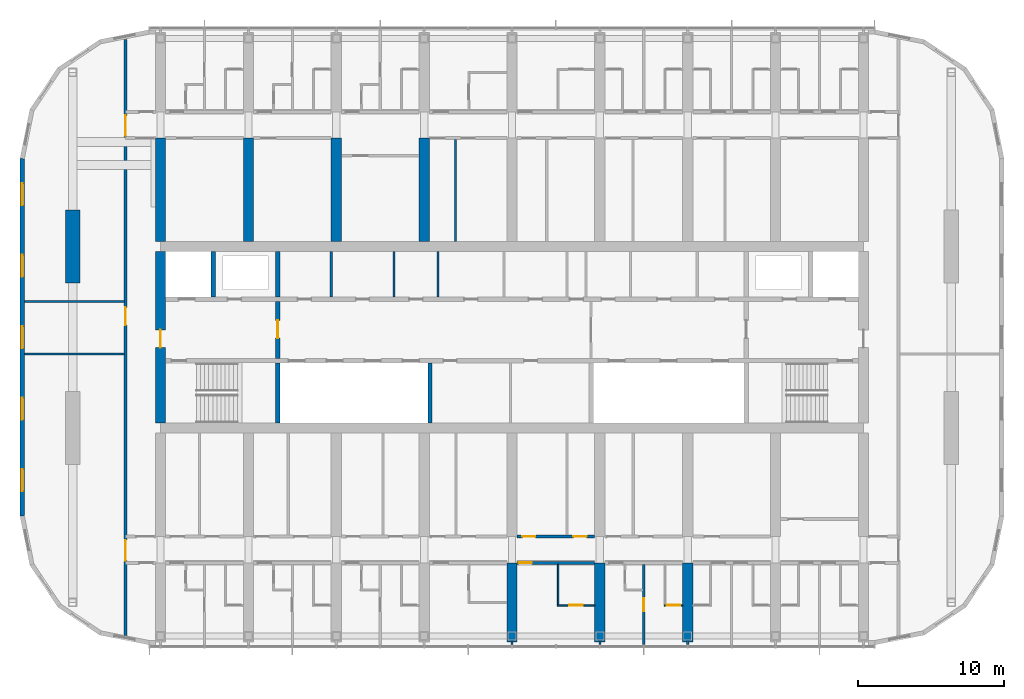
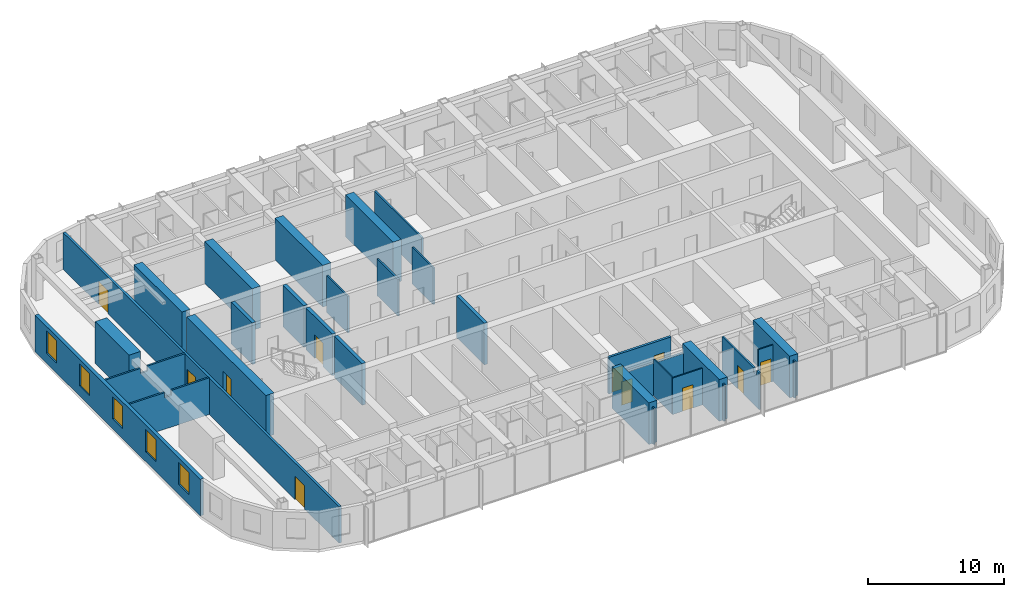
# One storey, part 12 of 24: 31 walls, 11 doors, 5 windows, 16 openings.
"""IFC4 building model written with IfcOpenShell, lengths in metres."""

from ifc_helpers import new_model, si_unit, direction, frame, frame_2d, origin, place, context, subcontext, project, spatial, polyline, rectangle, outline, extrude, material, layer, layer_set, type_object, element, fill, save


model = new_model("IFC4")

# Units and contexts
model_context = context("Model", 3, precision=1e-05, world=origin(), true_north=direction((0.0, 1.0)))
body_context = subcontext(model_context, "Body", "Model", "MODEL_VIEW")
ifc_project = project(units=[si_unit("LENGTHUNIT", "METRE"), si_unit("AREAUNIT", "SQUARE_METRE"), si_unit("VOLUMEUNIT", "CUBIC_METRE"), si_unit("PLANEANGLEUNIT", "RADIAN"), si_unit("MASSUNIT", "GRAM", prefix="KILO")], contexts=[model_context])

# Site, building, storey
site_placement = place(None, origin())
site = spatial("IfcSite", under=ifc_project, at=site_placement, CompositionType="ELEMENT")
building_placement = place(site_placement, origin())
building = spatial("IfcBuilding", under=site, at=building_placement, Name="Orbita Commons", CompositionType="ELEMENT")
storey_placement = place(building_placement, frame((0.0, 0.0, 242.800048828125)))
storey = spatial("IfcBuildingStorey", under=building, at=storey_placement, Name="L60", CompositionType="ELEMENT", Elevation=242.800048828125)

# Wall
ifc_material_1 = material(Name="Concrete C50/60", Category="concrete")
ifc_layer_1 = layer(ifc_material_1, 0.300048828125)
ifc_layer_set_1 = layer_set([ifc_layer_1], Name="Concrete C50/60")
wall_type_1 = type_object("IfcWallType", Name="Core inner wall 300 C50/60", PredefinedType="SHEAR", material=ifc_layer_set_1)
wall_1_placement = place(storey_placement, frame((26.0, 26.14990234375, 0.0), z_axis=(0.0, 0.0, 1.0), x_axis=(0.0, 1.0, 0.0)))
element("IfcWall", 1, at=wall_1_placement, inside=storey, type_object=wall_type_1, Name="Stair S1 wall L60", PredefinedType="SHEAR", context=body_context, shape_type="SweptSolid", body=[
    extrude(rectangle(XDim=4.10009765625, YDim=0.300048828125, at=frame_2d((2.050048828125, 0.0))), origin(), (0.0, 0.0, 1.0), 3.75),
])

# Wall, opening, door
wall_2_placement = place(storey_placement, frame((26.0, 30.550048828125, 0.0), z_axis=(0.0, 0.0, 1.0), x_axis=(0.0, 1.0, 0.0)))
wall_2 = element("IfcWall", 2, at=wall_2_placement, inside=storey, type_object=wall_type_1, Name="Firefighting lobby wall west L60", PredefinedType="SHEAR", context=body_context, shape_type="SweptSolid", body=[
    extrude(rectangle(XDim=3.89990234375, YDim=0.300048828125, at=frame_2d((1.949951171875, 0.0))), origin(), (0.0, 0.0, 1.0), 3.75),
])
opening_1_placement = place(wall_2_placement, frame((1.39990234375, 0.0, 0.0)))
opening_1 = element("IfcOpeningElement", 3, at=opening_1_placement, cuts=wall_2, Name="Opening D04", PredefinedType="OPENING", context=body_context, shape_type="SweptSolid", body=[
    extrude(rectangle(XDim=1.199951171875, YDim=2.10009765625, at=frame_2d((0.60009765625, 1.050048828125))), frame((0.0, 0.159912109375, 0.0), z_axis=(0.0, -1.0, 0.0), x_axis=(1.0, 0.0, 0.0)), (0.0, 0.0, 1.0), 0.320068359375),
])
ifc_material_2 = material(Name="Steel-faced fire door leaf", Category="steel")
door_type_1 = type_object("IfcDoorType", Name="Service door 20 min 1200x2100", OperationType="SINGLE_SWING_LEFT", PredefinedType="DOOR", material=ifc_material_2)
door_1_placement = place(opening_1_placement, origin())
door_1 = element("IfcDoor", 4, at=door_1_placement, inside=storey, type_object=door_type_1, Name="Lift lobby door west", OperationType="SINGLE_SWING_LEFT", OverallHeight=2.10009765625, OverallWidth=1.199951171875, PredefinedType="DOOR", context=body_context, shape_type="SweptSolid", body=[
    extrude(rectangle(XDim=1.199951171875, YDim=2.10009765625, at=frame_2d((0.60009765625, 1.050048828125))), frame((0.0, 0.02490234375, 0.0), z_axis=(0.0, -1.0, 0.0), x_axis=(1.0, 0.0, 0.0)), (0.0, 0.0, 1.0), 0.050048828125),
])
fill(opening_1, door_1)

# Walls
for number, where, z_axis, x_axis, name in (
    (5, (21.60009765625, 34.75, 0.0), (0.0, 0.0, 1.0), (0.0, 1.0, 0.0), "Firefighting lift FL1 shaft wall L60"),
    (6, (26.0, 34.75, 0.0), (0.0, 0.0, 1.0), (0.0, 1.0, 0.0), "Riser wall west L60"),
):
    element("IfcWall", number, at=place(storey_placement, frame(where, z_axis=z_axis, x_axis=x_axis)), inside=storey, type_object=wall_type_1, Name=name, PredefinedType="SHEAR", context=body_context, shape_type="SweptSolid", body=[
        extrude(rectangle(XDim=3.10009765625, YDim=0.300048828125, at=frame_2d((1.550048828125, 0.0))), origin(), (0.0, 0.0, 1.0), 3.75),
    ])
wall_3_placement = place(storey_placement, frame((36.39990234375, 26.14990234375, 0.0), z_axis=(0.0, 0.0, 1.0), x_axis=(0.0, 1.0, 0.0)))
element("IfcWall", 7, at=wall_3_placement, inside=storey, type_object=wall_type_1, Name="Hoistway division wall L60", PredefinedType="SHEAR", context=body_context, shape_type="SweptSolid", body=[
    extrude(rectangle(XDim=4.10009765625, YDim=0.300048828125, at=frame_2d((2.050048828125, 0.0))), origin(), (0.0, 0.0, 1.0), 3.75),
])
ifc_material_3 = material(Name="Concrete blockwork", Category="masonry")
ifc_layer_2 = layer(ifc_material_3, 0.14990234375)
ifc_layer_set_2 = layer_set([ifc_layer_2], Name="Concrete blockwork")
wall_type_2 = type_object("IfcWallType", Name="Core partition 150 blockwork", PredefinedType="SOLIDWALL", material=ifc_layer_set_2)
for number, where, z_axis, x_axis, name in (
    (8, (29.65087890625, 34.75, 0.0), (0.0, 0.0, 1.0), (0.0, 1.0, 0.0), "Core partition 150 blockwork L60"),
    (9, (33.9462890625, 34.75, 0.0), (0.0, 0.0, 1.0), (0.0, 1.0, 0.0), "Core partition 150 blockwork L60"),
    (10, (36.9462890625, 34.75, 0.0), (0.0, 0.0, 1.0), (0.0, 1.0, 0.0), "Core partition 150 blockwork L60"),
):
    element("IfcWall", number, at=place(storey_placement, frame(where, z_axis=z_axis, x_axis=x_axis)), inside=storey, type_object=wall_type_2, Name=name, PredefinedType="SOLIDWALL", context=body_context, shape_type="SweptSolid", body=[
        extrude(rectangle(XDim=3.10009765625, YDim=0.14990234375, at=frame_2d((1.550048828125, 0.0))), origin(), (0.0, 0.0, 1.0), 3.300048828125),
    ])

# Wall, opening, door
ifc_material_4 = material(Name="Concrete C50/60", Category="concrete")
ifc_layer_3 = layer(ifc_material_4, 0.699951171875)
ifc_layer_set_3 = layer_set([ifc_layer_3], Name="Concrete C50/60")
wall_type_3 = type_object("IfcWallType", Name="Core wall 700 C50/60", PredefinedType="SHEAR", material=ifc_layer_set_3)
wall_4_placement = place(storey_placement, frame((18.0, 26.14990234375, 0.0), z_axis=(0.0, 0.0, 1.0), x_axis=(0.0, 1.0, 0.0)))
wall_4 = element("IfcWall", 11, at=wall_4_placement, inside=storey, type_object=wall_type_3, Name="Core end wall west L60", PredefinedType="SHEAR", context=body_context, shape_type="SweptSolid", body=[
    extrude(rectangle(XDim=11.7001953125, YDim=0.699951171875, at=frame_2d((5.85009765625, 0.0))), origin(), (0.0, 0.0, 1.0), 3.75),
])
opening_2_placement = place(wall_4_placement, frame((5.14990234375, 0.0, 0.0)))
opening_2 = element("IfcOpeningElement", 12, at=opening_2_placement, cuts=wall_4, Name="Opening D01", PredefinedType="OPENING", context=body_context, shape_type="SweptSolid", body=[
    extrude(rectangle(XDim=1.199951171875, YDim=2.10009765625, at=frame_2d((0.60009765625, 1.050048828125))), frame((0.0, 0.35986328125, 0.0), z_axis=(0.0, -1.0, 0.0), x_axis=(1.0, 0.0, 0.0)), (0.0, 0.0, 1.0), 0.719970703125),
])
ifc_material_5 = material(Name="Steel-faced fire door leaf", Category="steel")
door_type_2 = type_object("IfcDoorType", Name="Fire door 90 min 1200x2100", OperationType="SINGLE_SWING_LEFT", PredefinedType="DOOR", material=ifc_material_5)
door_2_placement = place(opening_2_placement, origin())
door_2 = element("IfcDoor", 13, at=door_2_placement, inside=storey, type_object=door_type_2, Name="Firefighting lobby west door", OperationType="SINGLE_SWING_LEFT", OverallHeight=2.10009765625, OverallWidth=1.199951171875, PredefinedType="DOOR", context=body_context, shape_type="SweptSolid", body=[
    extrude(rectangle(XDim=1.199951171875, YDim=2.10009765625, at=frame_2d((0.60009765625, 1.050048828125))), frame((0.0, 0.02490234375, 0.0), z_axis=(0.0, -1.0, 0.0), x_axis=(1.0, 0.0, 0.0)), (0.0, 0.0, 1.0), 0.050048828125),
])
fill(opening_2, door_2)

ifc_material_6 = material(Name="Concrete blockwork", Category="masonry")
ifc_layer_4 = layer(ifc_material_6, 0.199951171875)
ifc_layer_set_4 = layer_set([ifc_layer_4], Name="Concrete blockwork")
wall_type_4 = type_object("IfcWallType", Name="Corridor wall 200 blockwork", PredefinedType="SOLIDWALL", material=ifc_layer_set_4)
wall_5_placement = place(storey_placement, frame((42.35009765625, 16.60009765625, 0.0), z_axis=(0.0, 0.0, 1.0), x_axis=(1.0, 0.0, 0.0)))
wall_5 = element("IfcWall", 14, at=wall_5_placement, inside=storey, type_object=wall_type_4, Name="Corridor wall 200 blockwork L60", PredefinedType="SOLIDWALL", context=body_context, shape_type="SweptSolid", body=[
    extrude(outline(polyline([(0.0, 0.0), (5.2998046875, 0.0), (5.300048828125, 2.89990234375), (0.0, 2.89990234375), (0.0, 0.0)])), frame((0.0, 0.10009765625, 0.0), z_axis=(0.0, -1.0, 0.0), x_axis=(1.0, 0.0, 0.0)), (0.0, 0.0, 1.0), 0.199951171875),
])
opening_3_placement = place(wall_5_placement, frame((0.10009765625, 0.0, 0.0)))
opening_3 = element("IfcOpeningElement", 15, at=opening_3_placement, cuts=wall_5, Name="Opening D11", PredefinedType="OPENING", context=body_context, shape_type="SweptSolid", body=[
    extrude(rectangle(XDim=0.89990234375, YDim=2.10009765625, at=frame_2d((0.449951171875, 1.050048828125))), frame((0.0, 0.10986328125, 0.0), z_axis=(0.0, -1.0, 0.0), x_axis=(1.0, 0.0, 0.0)), (0.0, 0.0, 1.0), 0.219970703125),
])
ifc_material_7 = material(Name="Steel-faced fire door leaf", Category="steel")
door_type_3 = type_object("IfcDoorType", Name="Corridor door 20 min 900x2100", OperationType="SINGLE_SWING_LEFT", PredefinedType="DOOR", material=ifc_material_7)
door_3_placement = place(opening_3_placement, origin())
door_3 = element("IfcDoor", 16, at=door_3_placement, inside=storey, type_object=door_type_3, Name="Studio apartment with kitchenette L60-S08 door", OperationType="SINGLE_SWING_LEFT", OverallHeight=2.10009765625, OverallWidth=0.89990234375, PredefinedType="DOOR", context=body_context, shape_type="SweptSolid", body=[
    extrude(rectangle(XDim=0.89990234375, YDim=2.10009765625, at=frame_2d((0.449951171875, 1.050048828125))), frame((0.0, 0.02490234375, 0.0), z_axis=(0.0, -1.0, 0.0), x_axis=(1.0, 0.0, 0.0)), (0.0, 0.0, 1.0), 0.050048828125),
])
fill(opening_3, door_3)

# Wall, openings, doors
wall_6_placement = place(storey_placement, frame((15.60009765625, 11.646240234375, 0.0), z_axis=(0.0, 0.0, 1.0), x_axis=(0.0, 1.0, 0.0)))
wall_6 = element("IfcWall", 17, at=wall_6_placement, inside=storey, type_object=wall_type_4, Name="Corridor wall 200 blockwork L60", PredefinedType="SOLIDWALL", context=body_context, shape_type="SweptSolid", body=[
    extrude(rectangle(XDim=40.70751953125, YDim=0.199951171875, at=frame_2d((20.353759765625, 0.0))), origin(), (0.0, 0.0, 1.0), 3.300048828125),
])
opening_4_placement = place(wall_6_placement, frame((21.19384765625, 0.0, 0.0)))
opening_4 = element("IfcOpeningElement", 18, at=opening_4_placement, cuts=wall_6, Name="Opening D15", PredefinedType="OPENING", context=body_context, shape_type="SweptSolid", body=[
    extrude(rectangle(XDim=1.199951171875, YDim=2.10009765625, at=frame_2d((0.60009765625, 1.050048828125))), frame((0.0, 0.10986328125, 0.0), z_axis=(0.0, -1.0, 0.0), x_axis=(1.0, 0.0, 0.0)), (0.0, 0.0, 1.0), 0.219970703125),
])
opening_5_placement = place(wall_6_placement, frame((5.103759765625, 0.0, 0.0)))
opening_5 = element("IfcOpeningElement", 19, at=opening_5_placement, cuts=wall_6, Name="Opening D08", PredefinedType="OPENING", context=body_context, shape_type="SweptSolid", body=[
    extrude(rectangle(XDim=1.39990234375, YDim=2.10009765625, at=frame_2d((0.699951171875, 1.050048828125))), frame((0.0, 0.10986328125, 0.0), z_axis=(0.0, -1.0, 0.0), x_axis=(1.0, 0.0, 0.0)), (0.0, 0.0, 1.0), 0.219970703125),
])
opening_6_placement = place(wall_6_placement, frame((34.103759765625, 0.0, 0.0)))
opening_6 = element("IfcOpeningElement", 20, at=opening_6_placement, cuts=wall_6, Name="Opening D08", PredefinedType="OPENING", context=body_context, shape_type="SweptSolid", body=[
    extrude(rectangle(XDim=1.39990234375, YDim=2.10009765625, at=frame_2d((0.699951171875, 1.050048828125))), frame((0.0, 0.10986328125, 0.0), z_axis=(0.0, -1.0, 0.0), x_axis=(1.0, 0.0, 0.0)), (0.0, 0.0, 1.0), 0.219970703125),
])
ifc_material_8 = material(Name="Steel-faced fire door leaf", Category="steel")
door_type_4 = type_object("IfcDoorType", Name="Corridor door 20 min 1200x2100", OperationType="SINGLE_SWING_LEFT", PredefinedType="DOOR", material=ifc_material_8)
door_4_placement = place(opening_4_placement, origin())
door_4 = element("IfcDoor", 21, at=door_4_placement, inside=storey, type_object=door_type_4, Name="Floor kitchen door", OperationType="SINGLE_SWING_LEFT", OverallHeight=2.10009765625, OverallWidth=1.199951171875, PredefinedType="DOOR", context=body_context, shape_type="SweptSolid", body=[
    extrude(rectangle(XDim=1.199951171875, YDim=2.10009765625, at=frame_2d((0.60009765625, 1.050048828125))), frame((0.0, 0.02490234375, 0.0), z_axis=(0.0, -1.0, 0.0), x_axis=(1.0, 0.0, 0.0)), (0.0, 0.0, 1.0), 0.050048828125),
])
fill(opening_4, door_4)
ifc_material_9 = material(Name="Steel-faced fire door leaf", Category="steel")
door_type_5 = type_object("IfcDoorType", Name="Double corridor door 20 min 1400x2100", OperationType="DOUBLE_DOOR_SINGLE_SWING", PredefinedType="DOOR", material=ifc_material_9)
door_5_placement = place(opening_5_placement, origin())
door_5 = element("IfcDoor", 22, at=door_5_placement, inside=storey, type_object=door_type_5, Name="Lounge doors", OperationType="DOUBLE_DOOR_SINGLE_SWING", OverallHeight=2.10009765625, OverallWidth=1.39990234375, PredefinedType="DOOR", context=body_context, shape_type="SweptSolid", body=[
    extrude(rectangle(XDim=1.39990234375, YDim=2.10009765625, at=frame_2d((0.699951171875, 1.050048828125))), frame((0.0, 0.02490234375, 0.0), z_axis=(0.0, -1.0, 0.0), x_axis=(1.0, 0.0, 0.0)), (0.0, 0.0, 1.0), 0.050048828125),
])
fill(opening_5, door_5)
door_6_placement = place(opening_6_placement, origin())
door_6 = element("IfcDoor", 23, at=door_6_placement, inside=storey, type_object=door_type_5, Name="Lounge doors", OperationType="DOUBLE_DOOR_SINGLE_SWING", OverallHeight=2.10009765625, OverallWidth=1.39990234375, PredefinedType="DOOR", context=body_context, shape_type="SweptSolid", body=[
    extrude(rectangle(XDim=1.39990234375, YDim=2.10009765625, at=frame_2d((0.699951171875, 1.050048828125))), frame((0.0, 0.02490234375, 0.0), z_axis=(0.0, -1.0, 0.0), x_axis=(1.0, 0.0, 0.0)), (0.0, 0.0, 1.0), 0.050048828125),
])
fill(opening_6, door_6)

ifc_material_10 = material(Name="Hollow concrete block 200", Category="concrete")
ifc_layer_5 = layer(ifc_material_10, 0.199951171875)
ifc_layer_set_5 = layer_set([ifc_layer_5], Name="Hollow concrete block 200")
wall_type_5 = type_object("IfcWallType", Name="Corridor wall 200 hollow concrete block", PredefinedType="SOLIDWALL", material=ifc_layer_set_5)
wall_7_placement = place(storey_placement, frame((42.35009765625, 18.39990234375, 0.0), z_axis=(0.0, 0.0, 1.0), x_axis=(1.0, 0.0, 0.0)))
wall_7 = element("IfcWall", 24, at=wall_7_placement, inside=storey, type_object=wall_type_5, Name="Corridor wall 200 hollow concrete block L60", PredefinedType="SOLIDWALL", context=body_context, shape_type="SweptSolid", body=[
    extrude(rectangle(XDim=5.2998046875, YDim=0.199951171875, at=frame_2d((2.64990234375, 0.0))), origin(), (0.0, 0.0, 1.0), 3.300048828125),
])
opening_7_placement = place(wall_7_placement, frame((0.35009765625, 0.0, 0.0)))
opening_7 = element("IfcOpeningElement", 25, at=opening_7_placement, cuts=wall_7, Name="Opening D11", PredefinedType="OPENING", context=body_context, shape_type="SweptSolid", body=[
    extrude(rectangle(XDim=0.89990234375, YDim=2.10009765625, at=frame_2d((0.449951171875, 1.050048828125))), frame((0.0, 0.10986328125, 0.0), z_axis=(0.0, -1.0, 0.0), x_axis=(1.0, 0.0, 0.0)), (0.0, 0.0, 1.0), 0.219970703125),
])
opening_8_placement = place(wall_7_placement, frame((3.840087890625, 0.0, 0.0)))
opening_8 = element("IfcOpeningElement", 26, at=opening_8_placement, cuts=wall_7, Name="Opening D11", PredefinedType="OPENING", context=body_context, shape_type="SweptSolid", body=[
    extrude(rectangle(XDim=0.89990234375, YDim=2.10009765625, at=frame_2d((0.449951171875, 1.050048828125))), frame((0.0, 0.10986328125, 0.0), z_axis=(0.0, -1.0, 0.0), x_axis=(1.0, 0.0, 0.0)), (0.0, 0.0, 1.0), 0.219970703125),
])
door_7_placement = place(opening_7_placement, origin())
door_7 = element("IfcDoor", 27, at=door_7_placement, inside=storey, type_object=door_type_3, Name="Linen store L60-BDS42 door", OperationType="SINGLE_SWING_LEFT", OverallHeight=2.10009765625, OverallWidth=0.89990234375, PredefinedType="DOOR", context=body_context, shape_type="SweptSolid", body=[
    extrude(rectangle(XDim=0.89990234375, YDim=2.10009765625, at=frame_2d((0.449951171875, 1.050048828125))), frame((0.0, 0.02490234375, 0.0), z_axis=(0.0, -1.0, 0.0), x_axis=(1.0, 0.0, 0.0)), (0.0, 0.0, 1.0), 0.050048828125),
])
fill(opening_7, door_7)
door_8_placement = place(opening_8_placement, origin())
door_8 = element("IfcDoor", 28, at=door_8_placement, inside=storey, type_object=door_type_3, Name="Battery and UPS room L60-BDS42n door", OperationType="SINGLE_SWING_LEFT", OverallHeight=2.10009765625, OverallWidth=0.89990234375, PredefinedType="DOOR", context=body_context, shape_type="SweptSolid", body=[
    extrude(rectangle(XDim=0.89990234375, YDim=2.10009765625, at=frame_2d((0.449951171875, 1.050048828125))), frame((0.0, 0.02490234375, 0.0), z_axis=(0.0, -1.0, 0.0), x_axis=(1.0, 0.0, 0.0)), (0.0, 0.0, 1.0), 0.050048828125),
])
fill(opening_8, door_8)

# Walls
ifc_material_11 = material(Name="Concrete C50/60", Category="concrete")
ifc_layer_6 = layer(ifc_material_11, 0.699951171875)
ifc_layer_set_6 = layer_set([ifc_layer_6], Name="Concrete C50/60")
wall_type_6 = type_object("IfcWallType", Name="Cross wall 700 C50/60", PredefinedType="SHEAR", material=ifc_layer_set_6)
for number, where, z_axis, x_axis, name in (
    (29, (18.0, 38.550048828125, 0.0), (0.0, 0.0, 1.0), (0.0, 1.0, 0.0), "Cross wall 4 north inner L60"),
    (30, (24.0, 38.550048828125, 0.0), (0.0, 0.0, 1.0), (0.0, 1.0, 0.0), "Cross wall 5 north inner L60"),
    (31, (30.0, 38.550048828125, 0.0), (0.0, 0.0, 1.0), (0.0, 1.0, 0.0), "Cross wall 6 north inner L60"),
    (32, (36.0, 38.550048828125, 0.0), (0.0, 0.0, 1.0), (0.0, 1.0, 0.0), "Cross wall 7 north inner L60"),
):
    element("IfcWall", number, at=place(storey_placement, frame(where, z_axis=z_axis, x_axis=x_axis)), inside=storey, type_object=wall_type_6, Name=name, PredefinedType="SHEAR", context=body_context, shape_type="SweptSolid", body=[
        extrude(rectangle(XDim=7.050048828125, YDim=0.699951171875, at=frame_2d((3.52490234375, 0.0))), origin(), (0.0, 0.0, 1.0), 3.75),
    ])
for number, where, z_axis, x_axis, name in (
    (33, (42.0, 11.199951171875, 0.0), (0.0, 0.0, 1.0), (0.0, 1.0, 0.0), "Cross wall 8 south outer L60"),
    (34, (48.0, 11.199951171875, 0.0), (0.0, 0.0, 1.0), (0.0, 1.0, 0.0), "Cross wall 9 south outer L60"),
    (35, (54.0, 11.199951171875, 0.0), (0.0, 0.0, 1.0), (0.0, 1.0, 0.0), "Cross wall 10 south outer L60"),
):
    element("IfcWall", number, at=place(storey_placement, frame(where, z_axis=z_axis, x_axis=x_axis)), inside=storey, type_object=wall_type_6, Name=name, PredefinedType="SHEAR", context=body_context, shape_type="SweptSolid", body=[
        extrude(rectangle(XDim=5.400146484375, YDim=0.699951171875, at=frame_2d((2.7001953125, 0.0))), origin(), (0.0, 0.0, 1.0), 3.75),
    ])

# Wall, opening, door
ifc_material_12 = material(Name="Moisture-resistant plasterboard on steel studs", Category="steel")
ifc_layer_7 = layer(ifc_material_12, 0.10009765625)
ifc_layer_set_7 = layer_set([ifc_layer_7], Name="Moisture-resistant plasterboard on steel studs")
wall_type_7 = type_object("IfcWallType", Name="En-suite partition 100", PredefinedType="PARTITIONING", material=ifc_layer_set_7)
wall_8_placement = place(storey_placement, frame((47.64990234375, 13.699951171875, 0.0), z_axis=(0.0, 0.0, 1.0), x_axis=(-1.0, 0.0, 0.0)))
wall_8 = element("IfcWall", 36, at=wall_8_placement, inside=storey, type_object=wall_type_7, Name="En-suite partition 100 L60", PredefinedType="PARTITIONING", context=body_context, shape_type="SweptSolid", body=[
    extrude(rectangle(XDim=2.5498046875, YDim=0.10009765625, at=frame_2d((1.27490234375, 0.0))), origin(), (0.0, 0.0, 1.0), 3.300048828125),
])
opening_9_placement = place(wall_8_placement, frame((0.824951171875, 0.0, 0.0)))
opening_9 = element("IfcOpeningElement", 37, at=opening_9_placement, cuts=wall_8, Name="Opening D09", PredefinedType="OPENING", context=body_context, shape_type="SweptSolid", body=[
    extrude(rectangle(XDim=0.89990234375, YDim=2.10009765625, at=frame_2d((0.449951171875, 1.050048828125))), frame((0.0, 0.06005859375, 0.0), z_axis=(0.0, -1.0, 0.0), x_axis=(1.0, 0.0, 0.0)), (0.0, 0.0, 1.0), 0.1201171875),
])
ifc_material_13 = material(Name="Laminated timber door leaf", Category="wood")
door_type_6 = type_object("IfcDoorType", Name="En-suite door 900x2100", OperationType="SINGLE_SWING_RIGHT", PredefinedType="DOOR", material=ifc_material_13)
door_9_placement = place(opening_9_placement, origin())
door_9 = element("IfcDoor", 38, at=door_9_placement, inside=storey, type_object=door_type_6, Name="En-suite L60-S08 door", OperationType="SINGLE_SWING_RIGHT", OverallHeight=2.10009765625, OverallWidth=0.89990234375, PredefinedType="DOOR", context=body_context, shape_type="SweptSolid", body=[
    extrude(rectangle(XDim=0.89990234375, YDim=2.10009765625, at=frame_2d((0.449951171875, 1.050048828125))), frame((0.0, 0.02490234375, 0.0), z_axis=(0.0, -1.0, 0.0), x_axis=(1.0, 0.0, 0.0)), (0.0, 0.0, 1.0), 0.050048828125),
])
fill(opening_9, door_9)

# Wall
wall_9_placement = place(storey_placement, frame((45.14990234375, 13.75, 0.0), z_axis=(0.0, 0.0, 1.0), x_axis=(0.0, 1.0, 0.0)))
element("IfcWall", 39, at=wall_9_placement, inside=storey, type_object=wall_type_7, Name="En-suite partition 100 L60", PredefinedType="PARTITIONING", context=body_context, shape_type="SweptSolid", body=[
    extrude(outline(polyline([(0.0, 0.0), (2.75, 0.0), (2.75, 2.89990234375), (2.701904296875, 2.89990234375), (2.699951171875, 3.300048828125), (0.0, 3.300048828125), (0.0, 0.0)])), frame((0.0, 0.050048828125, 0.0), z_axis=(0.0, -1.0, 0.0), x_axis=(1.0, 0.0, 0.0)), (0.0, 0.0, 1.0), 0.10009765625),
])

# Wall, opening, door
wall_10_placement = place(storey_placement, frame((53.64990234375, 13.699951171875, 0.0), z_axis=(0.0, 0.0, 1.0), x_axis=(-1.0, 0.0, 0.0)))
wall_10 = element("IfcWall", 40, at=wall_10_placement, inside=storey, type_object=wall_type_7, Name="En-suite partition 100 L60", PredefinedType="PARTITIONING", context=body_context, shape_type="SweptSolid", body=[
    extrude(rectangle(XDim=1.25, YDim=0.10009765625, at=frame_2d((0.625, 0.0))), origin(), (0.0, 0.0, 1.0), 3.300048828125),
])
opening_10_placement = place(wall_10_placement, frame((0.175048828125, 0.0, 0.0)))
opening_10 = element("IfcOpeningElement", 41, at=opening_10_placement, cuts=wall_10, Name="Opening D09", PredefinedType="OPENING", context=body_context, shape_type="SweptSolid", body=[
    extrude(rectangle(XDim=0.89990234375, YDim=2.10009765625, at=frame_2d((0.449951171875, 1.050048828125))), frame((0.0, 0.06005859375, 0.0), z_axis=(0.0, -1.0, 0.0), x_axis=(1.0, 0.0, 0.0)), (0.0, 0.0, 1.0), 0.1201171875),
])
door_10_placement = place(opening_10_placement, origin())
door_10 = element("IfcDoor", 42, at=door_10_placement, inside=storey, type_object=door_type_6, Name="En-suite L60-S11 door", OperationType="SINGLE_SWING_RIGHT", OverallHeight=2.10009765625, OverallWidth=0.89990234375, PredefinedType="DOOR", context=body_context, shape_type="SweptSolid", body=[
    extrude(rectangle(XDim=0.89990234375, YDim=2.10009765625, at=frame_2d((0.449951171875, 1.050048828125))), frame((0.0, 0.02490234375, 0.0), z_axis=(0.0, -1.0, 0.0), x_axis=(1.0, 0.0, 0.0)), (0.0, 0.0, 1.0), 0.050048828125),
])
fill(opening_10, door_10)

# Wall
ifc_material_14 = material(Name="Concrete C50/60", Category="concrete")
ifc_layer_8 = layer(ifc_material_14, 1.0)
ifc_layer_set_8 = layer_set([ifc_layer_8], Name="Concrete C50/60")
wall_type_8 = type_object("IfcWallType", Name="End pier 1000x5000 C50/60", PredefinedType="SHEAR", material=ifc_layer_set_8)
wall_11_placement = place(storey_placement, frame((12.0, 35.699951171875, 0.0), z_axis=(0.0, 0.0, 1.0), x_axis=(0.0, 1.0, 0.0)))
element("IfcWall", 43, at=wall_11_placement, inside=storey, type_object=wall_type_8, Name="End pier 3/D L60", PredefinedType="SHEAR", context=body_context, shape_type="SweptSolid", body=[
    extrude(rectangle(XDim=5.0, YDim=1.0, at=frame_2d((2.5, 0.0))), origin(), (0.0, 0.0, 1.0), 3.75),
])

# Wall, opening, door
ifc_material_15 = material(Name="Gypsum plasterboard on steel studs", Category="steel")
ifc_layer_9 = layer(ifc_material_15, 0.14990234375)
ifc_layer_set_9 = layer_set([ifc_layer_9], Name="Gypsum plasterboard on steel studs")
wall_type_9 = type_object("IfcWallType", Name="Partition 150 plasterboard", PredefinedType="PARTITIONING", material=ifc_layer_set_9)
wall_12_placement = place(storey_placement, frame((51.0, 11.010009765625, 0.0), z_axis=(0.0, 0.0, 1.0), x_axis=(0.0, 1.0, 0.0)))
wall_12 = element("IfcWall", 44, at=wall_12_placement, inside=storey, type_object=wall_type_9, Name="Partition 150 plasterboard L60", PredefinedType="PARTITIONING", context=body_context, shape_type="SweptSolid", body=[
    extrude(outline(polyline([(0.0, 0.0), (5.489990234375, 0.0), (5.489990234375, 2.89990234375), (5.44189453125, 2.89990234375), (5.43994140625, 3.300048828125), (0.7919921875, 3.300048828125), (0.7900390625, 2.89990234375), (0.39208984375, 2.89990234375), (0.389892578125, 3.300048828125), (0.0, 3.300048828125), (0.0, 0.0)])), frame((0.0, 0.074951171875, 0.0), z_axis=(0.0, -1.0, 0.0), x_axis=(1.0, 0.0, 0.0)), (0.0, 0.0, 1.0), 0.14990234375),
])
opening_11_placement = place(wall_12_placement, frame((2.27001953125, 0.0, 0.0)))
opening_11 = element("IfcOpeningElement", 45, at=opening_11_placement, cuts=wall_12, Name="Opening D09", PredefinedType="OPENING", context=body_context, shape_type="SweptSolid", body=[
    extrude(rectangle(XDim=0.89990234375, YDim=2.10009765625, at=frame_2d((0.449951171875, 1.050048828125))), frame((0.0, 0.0849609375, 0.0), z_axis=(0.0, -1.0, 0.0), x_axis=(1.0, 0.0, 0.0)), (0.0, 0.0, 1.0), 0.169921875),
])
door_11_placement = place(opening_11_placement, origin())
door_11 = element("IfcDoor", 46, at=door_11_placement, inside=storey, type_object=door_type_6, Name="Guest suite bedroom L60-S10 door", OperationType="SINGLE_SWING_RIGHT", OverallHeight=2.10009765625, OverallWidth=0.89990234375, PredefinedType="DOOR", context=body_context, shape_type="SweptSolid", body=[
    extrude(rectangle(XDim=0.89990234375, YDim=2.10009765625, at=frame_2d((0.449951171875, 1.050048828125))), frame((0.0, 0.02490234375, 0.0), z_axis=(0.0, -1.0, 0.0), x_axis=(1.0, 0.0, 0.0)), (0.0, 0.0, 1.0), 0.050048828125),
])
fill(opening_11, door_11)

# Walls
wall_13_placement = place(storey_placement, frame((38.14501953125, 38.550048828125, 0.0), z_axis=(0.0, 0.0, 1.0), x_axis=(0.0, 1.0, 0.0)))
element("IfcWall", 47, at=wall_13_placement, inside=storey, type_object=wall_type_9, Name="Partition 150 plasterboard L60", PredefinedType="PARTITIONING", context=body_context, shape_type="SweptSolid", body=[
    extrude(rectangle(XDim=6.949951171875, YDim=0.14990234375, at=frame_2d((3.47509765625, 0.0))), origin(), (0.0, 0.0, 1.0), 3.300048828125),
])
for number, where, z_axis, x_axis, name in (
    (48, (8.705078125, 30.85009765625, 0.0), (0.0, 0.0, 1.0), (1.0, 0.0, 0.0), "Partition 150 plasterboard L60"),
    (49, (8.705078125, 34.43994140625, 0.0), (0.0, 0.0, 1.0), (1.0, 0.0, 0.0), "Partition 150 plasterboard L60"),
):
    element("IfcWall", number, at=place(storey_placement, frame(where, z_axis=z_axis, x_axis=x_axis)), inside=storey, type_object=wall_type_9, Name=name, PredefinedType="PARTITIONING", context=body_context, shape_type="SweptSolid", body=[
        extrude(outline(polyline([(0.0, 0.0), (6.81982421875, 0.0), (6.820068359375, 3.300048828125), (3.596923828125, 3.300048828125), (3.594970703125, 2.849853515625), (2.9970703125, 2.849853515625), (2.9951171875, 3.300048828125), (0.0, 3.300048828125), (0.0, 0.0)])), frame((0.0, 0.074951171875, 0.0), z_axis=(0.0, -1.0, 0.0), x_axis=(1.0, 0.0, 0.0)), (0.0, 0.0, 1.0), 0.14990234375),
    ])
for number, where, z_axis, x_axis, name in (
    (50, (42.0, 11.300048828125, 0.0), (0.0, 0.0, 1.0), (0.0, -1.0, 0.0), "Partition 150 plasterboard L60"),
    (51, (48.0, 11.300048828125, 0.0), (0.0, 0.0, 1.0), (0.0, -1.0, 0.0), "Partition 150 plasterboard L60"),
    (52, (54.0, 11.300048828125, 0.0), (0.0, 0.0, 1.0), (0.0, -1.0, 0.0), "Partition 150 plasterboard L60"),
):
    element("IfcWall", number, at=place(storey_placement, frame(where, z_axis=z_axis, x_axis=x_axis)), inside=storey, type_object=wall_type_9, Name=name, PredefinedType="PARTITIONING", context=body_context, shape_type="SweptSolid", body=[
        extrude(rectangle(XDim=0.2900390625, YDim=0.14990234375, at=frame_2d((0.14501953125, 0.0))), origin(), (0.0, 0.0, 1.0), 3.300048828125),
    ])

# Wall, openings, windows
ifc_material_16 = material(Name="Precast concrete C40/50, white board-marked finish", Category="concrete")
ifc_layer_10 = layer(ifc_material_16, 0.300048828125)
ifc_layer_set_10 = layer_set([ifc_layer_10], Name="Precast concrete C40/50, white board-marked finish")
wall_type_10 = type_object("IfcWallType", Name="Precast concrete end shield 300", PredefinedType="SOLIDWALL", material=ifc_layer_set_10)
wall_14_placement = place(storey_placement, frame((8.550048828125, 44.199951171875, 0.0), z_axis=(0.0, 0.0, 1.0), x_axis=(0.0, -1.0, 0.0)))
wall_14 = element("IfcWall", 53, at=wall_14_placement, inside=storey, type_object=wall_type_10, Name="End shield W L60", PredefinedType="SOLIDWALL", context=body_context, shape_type="SweptSolid", body=[
    extrude(outline(polyline([(-0.014892578125, -0.14990234375), (24.414794921875, -0.14990234375), (24.385009765625, 0.14990234375), (0.014892578125, 0.14990234375), (-0.014892578125, -0.14990234375)])), origin(), (0.0, 0.0, 1.0), 3.300048828125),
])
opening_12_placement = place(wall_14_placement, frame((1.68994140625, 0.0, 0.89990234375)))
opening_12 = element("IfcOpeningElement", 54, at=opening_12_placement, cuts=wall_14, Name="Opening W01", PredefinedType="OPENING", context=body_context, shape_type="SweptSolid", body=[
    extrude(rectangle(XDim=1.5, YDim=2.0, at=frame_2d((0.75, 1.0))), frame((0.0, 0.159912109375, 0.0), z_axis=(0.0, -1.0, 0.0), x_axis=(1.0, 0.0, 0.0)), (0.0, 0.0, 1.0), 0.320068359375),
])
opening_13_placement = place(wall_14_placement, frame((6.570068359375, 0.0, 0.89990234375)))
opening_13 = element("IfcOpeningElement", 55, at=opening_13_placement, cuts=wall_14, Name="Opening W01", PredefinedType="OPENING", context=body_context, shape_type="SweptSolid", body=[
    extrude(rectangle(XDim=1.5, YDim=2.0, at=frame_2d((0.75, 1.0))), frame((0.0, 0.159912109375, 0.0), z_axis=(0.0, -1.0, 0.0), x_axis=(1.0, 0.0, 0.0)), (0.0, 0.0, 1.0), 0.320068359375),
])
opening_14_placement = place(wall_14_placement, frame((11.449951171875, 0.0, 0.89990234375)))
opening_14 = element("IfcOpeningElement", 56, at=opening_14_placement, cuts=wall_14, Name="Opening W01", PredefinedType="OPENING", context=body_context, shape_type="SweptSolid", body=[
    extrude(rectangle(XDim=1.5, YDim=2.0, at=frame_2d((0.75, 1.0))), frame((0.0, 0.159912109375, 0.0), z_axis=(0.0, -1.0, 0.0), x_axis=(1.0, 0.0, 0.0)), (0.0, 0.0, 1.0), 0.320068359375),
])
opening_15_placement = place(wall_14_placement, frame((16.330078125, 0.0, 0.89990234375)))
opening_15 = element("IfcOpeningElement", 57, at=opening_15_placement, cuts=wall_14, Name="Opening W01", PredefinedType="OPENING", context=body_context, shape_type="SweptSolid", body=[
    extrude(rectangle(XDim=1.5, YDim=2.0, at=frame_2d((0.75, 1.0))), frame((0.0, 0.159912109375, 0.0), z_axis=(0.0, -1.0, 0.0), x_axis=(1.0, 0.0, 0.0)), (0.0, 0.0, 1.0), 0.320068359375),
])
opening_16_placement = place(wall_14_placement, frame((21.2099609375, 0.0, 0.89990234375)))
opening_16 = element("IfcOpeningElement", 58, at=opening_16_placement, cuts=wall_14, Name="Opening W01", PredefinedType="OPENING", context=body_context, shape_type="SweptSolid", body=[
    extrude(rectangle(XDim=1.5, YDim=2.0, at=frame_2d((0.75, 1.0))), frame((0.0, 0.159912109375, 0.0), z_axis=(0.0, -1.0, 0.0), x_axis=(1.0, 0.0, 0.0)), (0.0, 0.0, 1.0), 0.320068359375),
])
ifc_material_17 = material(Name="Aluminium frame, clear double glazing", Category="aluminium")
window_type = type_object("IfcWindowType", Name="Deep-set window 1500x2000", PartitioningType="SINGLE_PANEL", PredefinedType="WINDOW", material=ifc_material_17)
window_1_placement = place(opening_12_placement, origin())
window_1 = element("IfcWindow", 59, at=window_1_placement, inside=storey, type_object=window_type, Name="Window L60-W 1", OverallHeight=2.0, OverallWidth=1.5, PartitioningType="SINGLE_PANEL", PredefinedType="WINDOW", context=body_context, shape_type="SweptSolid", body=[
    extrude(rectangle(XDim=1.5, YDim=2.0, at=frame_2d((0.75, 1.0))), frame((0.0, 0.030029296875, 0.0), z_axis=(0.0, -1.0, 0.0), x_axis=(1.0, 0.0, 0.0)), (0.0, 0.0, 1.0), 0.06005859375),
])
fill(opening_12, window_1)
window_2_placement = place(opening_13_placement, origin())
window_2 = element("IfcWindow", 60, at=window_2_placement, inside=storey, type_object=window_type, Name="Window L60-W 2", OverallHeight=2.0, OverallWidth=1.5, PartitioningType="SINGLE_PANEL", PredefinedType="WINDOW", context=body_context, shape_type="SweptSolid", body=[
    extrude(rectangle(XDim=1.5, YDim=2.0, at=frame_2d((0.75, 1.0))), frame((0.0, 0.030029296875, 0.0), z_axis=(0.0, -1.0, 0.0), x_axis=(1.0, 0.0, 0.0)), (0.0, 0.0, 1.0), 0.06005859375),
])
fill(opening_13, window_2)
window_3_placement = place(opening_14_placement, origin())
window_3 = element("IfcWindow", 61, at=window_3_placement, inside=storey, type_object=window_type, Name="Window L60-W 3", OverallHeight=2.0, OverallWidth=1.5, PartitioningType="SINGLE_PANEL", PredefinedType="WINDOW", context=body_context, shape_type="SweptSolid", body=[
    extrude(rectangle(XDim=1.5, YDim=2.0, at=frame_2d((0.75, 1.0))), frame((0.0, 0.030029296875, 0.0), z_axis=(0.0, -1.0, 0.0), x_axis=(1.0, 0.0, 0.0)), (0.0, 0.0, 1.0), 0.06005859375),
])
fill(opening_14, window_3)
window_4_placement = place(opening_15_placement, origin())
window_4 = element("IfcWindow", 62, at=window_4_placement, inside=storey, type_object=window_type, Name="Window L60-W 4", OverallHeight=2.0, OverallWidth=1.5, PartitioningType="SINGLE_PANEL", PredefinedType="WINDOW", context=body_context, shape_type="SweptSolid", body=[
    extrude(rectangle(XDim=1.5, YDim=2.0, at=frame_2d((0.75, 1.0))), frame((0.0, 0.030029296875, 0.0), z_axis=(0.0, -1.0, 0.0), x_axis=(1.0, 0.0, 0.0)), (0.0, 0.0, 1.0), 0.06005859375),
])
fill(opening_15, window_4)
window_5_placement = place(opening_16_placement, origin())
window_5 = element("IfcWindow", 63, at=window_5_placement, inside=storey, type_object=window_type, Name="Window L60-W 5", OverallHeight=2.0, OverallWidth=1.5, PartitioningType="SINGLE_PANEL", PredefinedType="WINDOW", context=body_context, shape_type="SweptSolid", body=[
    extrude(rectangle(XDim=1.5, YDim=2.0, at=frame_2d((0.75, 1.0))), frame((0.0, 0.030029296875, 0.0), z_axis=(0.0, -1.0, 0.0), x_axis=(1.0, 0.0, 0.0)), (0.0, 0.0, 1.0), 0.06005859375),
])
fill(opening_16, window_5)

save(model, "model.ifc")
